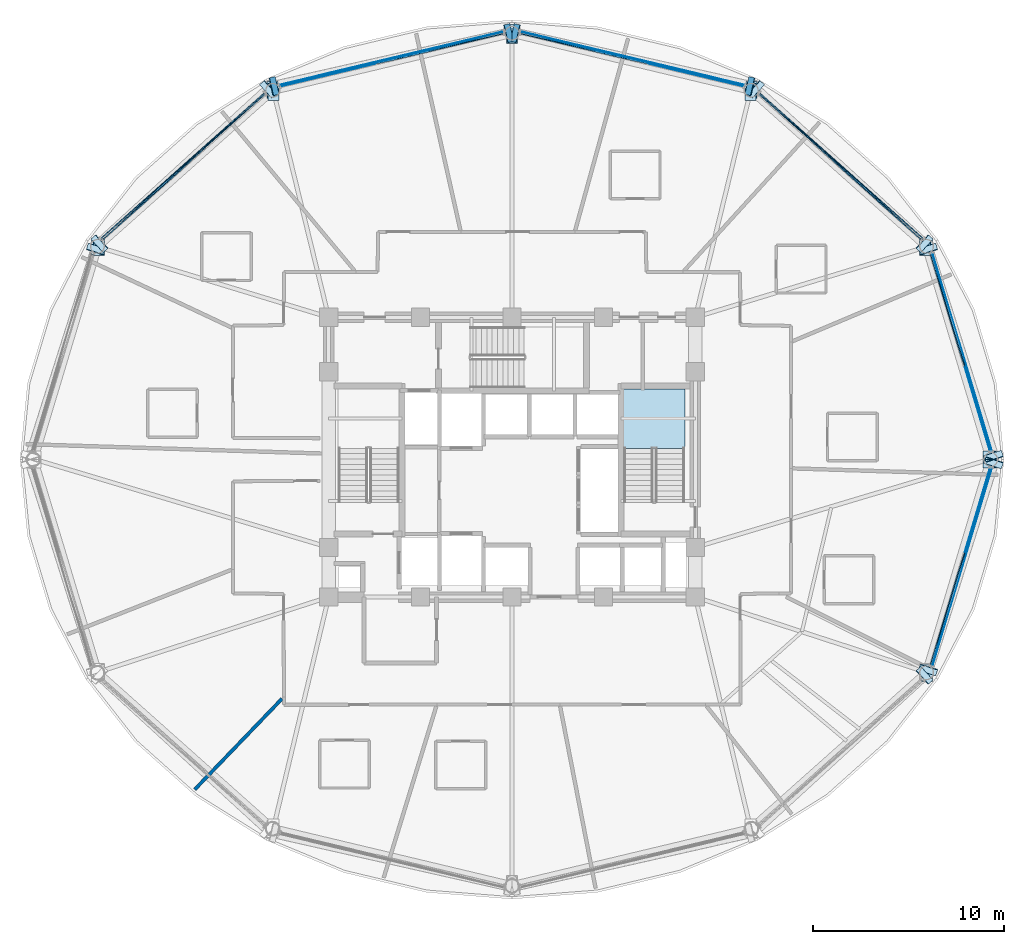
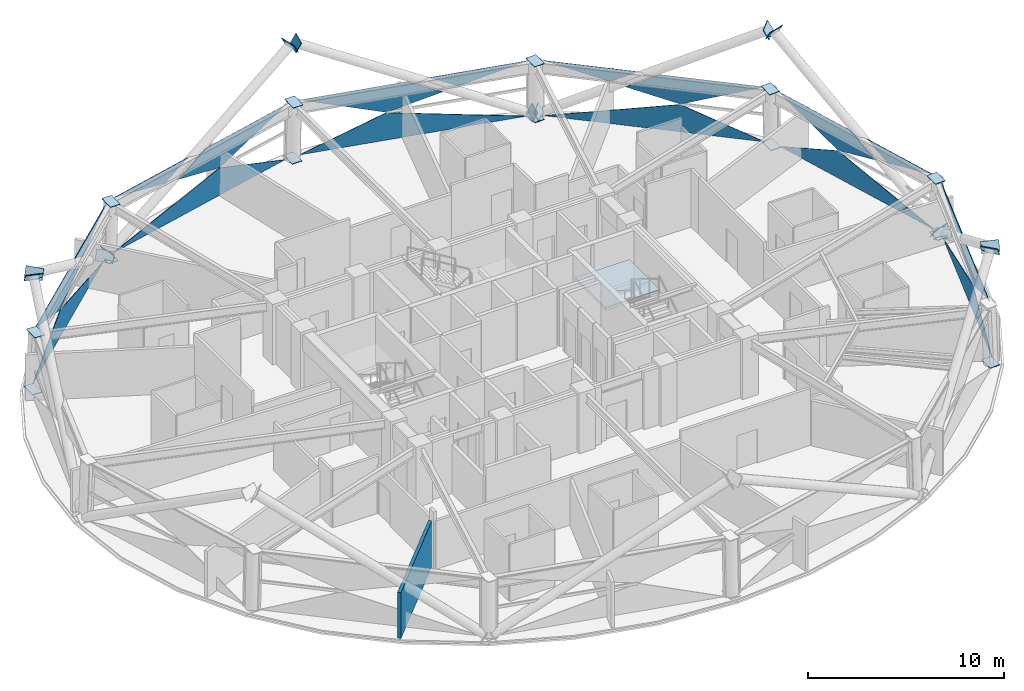
# One storey, part 7 of 15: 45 plates, 1 slab, 1 wall, 7 elements without a shape of their own.
"""IFC4 building model written with IfcOpenShell, lengths in metres."""

from ifc_helpers import new_model, si_unit, direction, frame, frame_2d, origin, place, context, subcontext, project, spatial, polyline, rectangle, outline, extrude, material, layer, layer_set, type_object, element, aggregate, save


model = new_model("IFC4")

# Units and contexts
model_context = context("Model", 3, precision=1e-05, world=origin(), true_north=direction((0.0, 1.0)))
body_context = subcontext(model_context, "Body", "Model", "MODEL_VIEW")
ifc_project = project(units=[si_unit("LENGTHUNIT", "METRE"), si_unit("AREAUNIT", "SQUARE_METRE"), si_unit("VOLUMEUNIT", "CUBIC_METRE"), si_unit("PLANEANGLEUNIT", "RADIAN"), si_unit("MASSUNIT", "GRAM", prefix="KILO")], contexts=[model_context])

# Site, building, storey
site_placement = place(None, origin())
site = spatial("IfcSite", under=ifc_project, at=site_placement, CompositionType="ELEMENT")
building_placement = place(site_placement, origin())
building = spatial("IfcBuilding", under=site, at=building_placement, Name="Vantalir Tower", CompositionType="ELEMENT")
storey_placement = place(building_placement, frame((0.0, 0.0, 134.699951171875)))
storey = spatial("IfcBuildingStorey", under=building, at=storey_placement, Name="L33", CompositionType="ELEMENT", Elevation=134.699951171875)

# Curtain wall, plates
ifc_material_1 = material(Name="Champagne-silver PVDF aluminium and double-silver Low-E glass", Category="aluminium")
ifc_layer_1 = layer(ifc_material_1, 0.199951171875)
ifc_layer_set_1 = layer_set([ifc_layer_1], Name="Champagne-silver PVDF aluminium and double-silver Low-E glass")
curtain_wall_type = type_object("IfcCurtainWallType", Name="CW-DIAMOND-Z2", PredefinedType="USERDEFINED", material=ifc_layer_set_1)
curtain_wall_1_placement = place(storey_placement, origin())
curtain_wall_1 = element("IfcCurtainWall", 1, at=curtain_wall_1_placement, inside=storey, type_object=curtain_wall_type, Name="L33 Quilted Pyramid-Diamond Curtain Wall S01", ObjectType="UNITISED CURTAIN WALL", PredefinedType="USERDEFINED")
ifc_material_2 = material(Name="Double-silver Low-E laminated glass IGU", Category="glass")
ifc_layer_2 = layer(ifc_material_2, 0.028076171875)
ifc_layer_set_2 = layer_set([ifc_layer_2], Name="Double-silver Low-E laminated glass IGU")
plate_type_1 = type_object("IfcPlateType", Name="CWP-IGU-28", PredefinedType="CURTAIN_PANEL", material=ifc_layer_set_2)
plate_1_placement = place(storey_placement, frame((56.652099609375, 25.435546875, 0.046630859375), z_axis=(0.957463170164, 0.287838841665, 0.02032434523), x_axis=(-0.287898747947, 0.957660853551, 2.2490333e-05)))
plate_1 = element("IfcPlate", 2, at=plate_1_placement, type_object=plate_type_1, Name="CW-L33-S01 Pyramid Diamond Facet 1L", PredefinedType="CURTAIN_PANEL", context=body_context, shape_type="SweptSolid", body=[
    extrude(outline(polyline([(0.0, 0.0), (10.855358569343428, 4.87890977618477e-18), (6.7250482637730125, 1.726523743430971), (0.0, 0.0)])), origin(), (0.0, 0.0, -1.0), 0.028076171875),
])
plate_2_placement = place(storey_placement, frame((54.886474609375, 30.895751953125, 3.5234375), z_axis=(0.956543087606, 0.287624031401, 0.047934727639), x_axis=(-0.287952835726, 0.957644590696, -4.804982e-05)))
plate_2 = element("IfcPlate", 3, at=plate_2_placement, type_object=plate_type_1, Name="CW-L33-S01 Pyramid Diamond Facet 2U", PredefinedType="CURTAIN_PANEL", context=body_context, shape_type="SweptSolid", body=[
    extrude(outline(polyline([(0.0, 0.0), (5.096474012742878, 4.092863201132779e-18), (0.9877891739577647, -1.7282575818142996), (-1.6959378570622536, -1.0349633621815963), (0.0, 0.0)])), origin(), (0.0, 0.0, -1.0), 0.028076171875),
])
plate_3_placement = place(storey_placement, frame((56.55859375, 25.44482421875, 3.525146484375), z_axis=(0.956564172472, 0.287559400806, 0.047901721806), x_axis=(-0.287887448964, 0.957664249057, -5.2988671e-05)))
plate_3 = element("IfcPlate", 4, at=plate_3_placement, type_object=plate_type_1, Name="CW-L33-S01 Pyramid Diamond Facet 2U Infill Light", PredefinedType="CURTAIN_PANEL", context=body_context, shape_type="SweptSolid", body=[
    extrude(outline(polyline([(0.0, 0.0), (4.6074117520533635, -7.26415455565288e-18), (3.2371289659831093, -0.836237644729673), (0.0, 0.0)])), origin(), (0.0, 0.0, -1.0), 0.028076171875),
])
aggregate(curtain_wall_1, [plate_1, plate_2, plate_3])

curtain_wall_2_placement = place(storey_placement, origin())
curtain_wall_2 = element("IfcCurtainWall", 5, at=curtain_wall_2_placement, inside=storey, type_object=curtain_wall_type, Name="L33 Quilted Pyramid-Diamond Curtain Wall S02", ObjectType="UNITISED CURTAIN WALL", PredefinedType="USERDEFINED")
plate_4_placement = place(storey_placement, frame((53.056396484375, 36.569580078125, 0.046630859375), z_axis=(0.6653068524, 0.746332559272, 0.018828253222), x_axis=(-0.746464616569, 0.665425109053, -2.1253477e-05)))
plate_4 = element("IfcPlate", 6, at=plate_4_placement, type_object=plate_type_1, Name="CW-L33-S02 Pyramid Diamond Facet 1L", PredefinedType="CURTAIN_PANEL", context=body_context, shape_type="SweptSolid", body=[
    extrude(outline(polyline([(0.0, 0.0), (11.487091070250031, -2.0897996874658098e-17), (4.377164422617206, 1.7269616641354208), (0.0, 0.0)])), origin(), (0.0, 0.0, -1.0), 0.028076171875),
])
plate_5_placement = place(storey_placement, frame((52.948486328125, 36.514892578125, 3.5234375), z_axis=(0.664748754813, 0.745655250849, 0.045905771486), x_axis=(-0.746442186369, 0.665450270425, 5.57818e-07)))
plate_5 = element("IfcPlate", 7, at=plate_5_placement, type_object=plate_type_1, Name="CW-L33-S02 Pyramid Diamond Facet 2U", PredefinedType="CURTAIN_PANEL", context=body_context, shape_type="SweptSolid", body=[
    extrude(outline(polyline([(0.0, 0.0), (5.397617133822349, 2.7755575615628914e-17), (7.179394340359008, -1.0347863092867564), (4.333081722974225, -1.7283840128973784), (0.0, 0.0)])), origin(), (0.0, 0.0, -1.0), 0.028076171875),
])
plate_6_placement = place(storey_placement, frame((48.09375, 40.885498046875, 3.52490234375), z_axis=(0.664758126439, 0.745637981666, 0.046050338001), x_axis=(-0.746431383349, 0.665462386212, 4.9888476e-05)))
plate_6 = element("IfcPlate", 8, at=plate_6_placement, type_object=plate_type_1, Name="CW-L33-S02 Pyramid Diamond Facet 2U Infill Light", PredefinedType="CURTAIN_PANEL", context=body_context, shape_type="SweptSolid", body=[
    extrude(outline(polyline([(0.0, 0.0), (4.893727826473821, -3.876022766635678e-18), (1.4464393470778378, -0.8400747079028531), (0.0, 0.0)])), origin(), (0.0, 0.0, -1.0), 0.028076171875),
])
aggregate(curtain_wall_2, [plate_4, plate_5, plate_6])

curtain_wall_3_placement = place(storey_placement, origin())
curtain_wall_3 = element("IfcCurtainWall", 9, at=curtain_wall_3_placement, inside=storey, type_object=curtain_wall_type, Name="L33 Quilted Pyramid-Diamond Curtain Wall S03", ObjectType="UNITISED CURTAIN WALL", PredefinedType="USERDEFINED")
plate_7_placement = place(storey_placement, frame((43.699462890625, 44.62158203125, 0.04638671875), z_axis=(0.232238699836, 0.972513238246, 0.016828182751), x_axis=(-0.972651048169, 0.232271259712, 2.0197501e-05)))
plate_7 = element("IfcPlate", 10, at=plate_7_placement, type_object=plate_type_1, Name="CW-L33-S03 Pyramid Diamond Facet 1L", PredefinedType="CURTAIN_PANEL", context=body_context, shape_type="SweptSolid", body=[
    extrude(outline(polyline([(0.0, 0.0), (12.087665047253493, 3.2255014631443757e-18), (7.487863162220419, 1.7271441158106788), (0.0, 0.0)])), origin(), (0.0, 0.0, -1.0), 0.028076171875),
])
plate_8_placement = place(storey_placement, frame((37.47998046875, 45.9970703125, 3.523681640625), z_axis=(0.232028448173, 0.971690883214, 0.044492996275), x_axis=(-0.972653666383, 0.232260292498, -4.2432139e-05)))
plate_8 = element("IfcPlate", 11, at=plate_8_placement, type_object=plate_type_1, Name="CW-L33-S03 Pyramid Diamond Facet 2U", PredefinedType="CURTAIN_PANEL", context=body_context, shape_type="SweptSolid", body=[
    extrude(outline(polyline([(0.0, 0.0), (5.69327447448733, -5.990217002982412e-18), (1.119095545179501, -1.7287152503151515), (-1.872263854640357, -1.0347930479250294), (0.0, 0.0)])), origin(), (0.0, 0.0, -1.0), 0.028076171875),
])
plate_9_placement = place(storey_placement, frame((43.64501953125, 44.557861328125, 3.525146484375), z_axis=(0.232012766943, 0.971689535973, 0.044604054253), x_axis=(-0.972657579358, 0.232243909109, 0.0)))
plate_9 = element("IfcPlate", 12, at=plate_9_placement, type_object=plate_type_1, Name="CW-L33-S03 Pyramid Diamond Facet 2U Infill Light", PredefinedType="CURTAIN_PANEL", context=body_context, shape_type="SweptSolid", body=[
    extrude(outline(polyline([(0.0, 0.0), (5.1531054069003135, 0.0), (3.62919502629033, -0.842146745431487), (0.0, 0.0)])), origin(), (0.0, 0.0, -1.0), 0.028076171875),
])
aggregate(curtain_wall_3, [plate_7, plate_8, plate_9])

curtain_wall_4_placement = place(storey_placement, origin())
curtain_wall_4 = element("IfcCurtainWall", 13, at=curtain_wall_4_placement, inside=storey, type_object=curtain_wall_type, Name="L33 Quilted Pyramid-Diamond Curtain Wall S04", ObjectType="UNITISED CURTAIN WALL", PredefinedType="USERDEFINED")
plate_10_placement = place(storey_placement, frame((31.0576171875, 47.42919921875, 0.046630859375), z_axis=(-0.232256889612, 0.972508622751, 0.01684386838), x_axis=(-0.972646689039, -0.232289513093, -2.0199088e-05)))
plate_10 = element("IfcPlate", 14, at=plate_10_placement, type_object=plate_type_1, Name="CW-L33-S04 Pyramid Diamond Facet 1L", PredefinedType="CURTAIN_PANEL", context=body_context, shape_type="SweptSolid", body=[
    extrude(outline(polyline([(0.0, 0.0), (12.086715194842665, -1.3850682753502319e-17), (4.599327501788507, 1.7271445697692345), (0.0, 0.0)])), origin(), (0.0, 0.0, -1.0), 0.028076171875),
])
plate_11_placement = place(storey_placement, frame((31.0576171875, 47.3193359375, 3.5234375), z_axis=(-0.232052352913, 0.971684408493, 0.044509727011), x_axis=(-0.972647912856, -0.232284385689, 4.2219455e-05)))
plate_11 = element("IfcPlate", 15, at=plate_11_placement, type_object=plate_type_1, Name="CW-L33-S04 Pyramid Diamond Facet 2U", PredefinedType="CURTAIN_PANEL", context=body_context, shape_type="SweptSolid", body=[
    extrude(outline(polyline([(0.0, 0.0), (5.692799545575919, 7.128629284092192e-18), (7.564825017597884, -1.0347921790803372), (4.573939925662782, -1.7287167881728276), (0.0, 0.0)])), origin(), (0.0, 0.0, -1.0), 0.028076171875),
])
plate_12_placement = place(storey_placement, frame((24.36767578125, 45.754638671875, 3.525146484375), z_axis=(-0.232034436691, 0.971685621459, 0.044576599692), x_axis=(-0.972652467841, -0.232265315538, 0.0)))
plate_12 = element("IfcPlate", 16, at=plate_12_placement, type_object=plate_type_1, Name="CW-L33-S04 Pyramid Diamond Facet 2U Infill Light", PredefinedType="CURTAIN_PANEL", context=body_context, shape_type="SweptSolid", body=[
    extrude(outline(polyline([(0.0, 0.0), (5.152630477689515, 6.938893903907228e-18), (1.5236720895603613, -0.8421457124155124), (0.0, 0.0)])), origin(), (0.0, 0.0, -1.0), 0.028076171875),
])
aggregate(curtain_wall_4, [plate_10, plate_11, plate_12])

curtain_wall_5_placement = place(storey_placement, origin())
curtain_wall_5 = element("IfcCurtainWall", 17, at=curtain_wall_5_placement, inside=storey, type_object=curtain_wall_type, Name="L33 Quilted Pyramid-Diamond Curtain Wall S05", ObjectType="UNITISED CURTAIN WALL", PredefinedType="USERDEFINED")
plate_13_placement = place(storey_placement, frame((18.519287109375, 44.21337890625, 0.04638671875), z_axis=(-0.665265251337, 0.746370883689, 0.018778960172), x_axis=(-0.746502256343, -0.665382882875, 2.1252128e-05)))
plate_13 = element("IfcPlate", 18, at=plate_13_placement, type_object=plate_type_1, Name="CW-L33-S05 Pyramid Diamond Facet 1L", PredefinedType="CURTAIN_PANEL", context=body_context, shape_type="SweptSolid", body=[
    extrude(outline(polyline([(0.0, 0.0), (11.487820057981526, -1.100465205072787e-17), (7.110471549203803, 1.726960060879841), (0.0, 0.0)])), origin(), (0.0, 0.0, -1.0), 0.028076171875),
])
plate_14_placement = place(storey_placement, frame((14.0810546875, 40.106689453125, 3.5234375), z_axis=(-0.664708468294, 0.745687335211, 0.045967926696), x_axis=(-0.746476405276, -0.66541188475, 5.91457e-07)))
plate_14 = element("IfcPlate", 19, at=plate_14_placement, type_object=plate_type_1, Name="CW-L33-S05 Pyramid Diamond Facet 2U", PredefinedType="CURTAIN_PANEL", context=body_context, shape_type="SweptSolid", body=[
    extrude(outline(polyline([(0.0, 0.0), (5.398144074560463, 4.163336342344337e-17), (1.0647197504595947, -1.7283901830948833), (-1.7819581912620606, -1.0347810098272232), (0.0, 0.0)])), origin(), (0.0, 0.0, -1.0), 0.028076171875),
])
plate_15_placement = place(storey_placement, frame((18.56005859375, 44.14208984375, 3.525146484375), z_axis=(-0.664711034908, 0.745684830566, 0.045971442594), x_axis=(-0.746475563658, -0.665412827027, -4.9884761e-05)))
plate_15 = element("IfcPlate", 20, at=plate_15_placement, type_object=plate_type_1, Name="CW-L33-S05 Pyramid Diamond Facet 2U Infill Light", PredefinedType="CURTAIN_PANEL", context=body_context, shape_type="SweptSolid", body=[
    extrude(outline(polyline([(0.0, 0.0), (4.894092305709332, 1.0299920638612292e-18), (3.4474732821470626, -0.8400716555201749), (0.0, 0.0)])), origin(), (0.0, 0.0, -1.0), 0.028076171875),
])
aggregate(curtain_wall_5, [plate_13, plate_14, plate_15])

curtain_wall_6_placement = place(storey_placement, origin())
curtain_wall_6 = element("IfcCurtainWall", 21, at=curtain_wall_6_placement, inside=storey, type_object=curtain_wall_type, Name="L33 Quilted Pyramid-Diamond Curtain Wall S12", ObjectType="UNITISED CURTAIN WALL", PredefinedType="USERDEFINED")
plate_16_placement = place(storey_placement, frame((53.52685546875, 14.167724609375, 0.046875), z_axis=(0.957470245405, -0.287813931376, 0.020343796845), x_axis=(0.287873946806, 0.957668309095, -2.2488395e-05)))
plate_16 = element("IfcPlate", 22, at=plate_16_placement, type_object=plate_type_1, Name="CW-L33-S12 Pyramid Diamond Facet 1L", PredefinedType="CURTAIN_PANEL", context=body_context, shape_type="SweptSolid", body=[
    extrude(outline(polyline([(0.0, 0.0), (10.856293788661283, 1.5233040523421337e-17), (4.130778827764857, 1.7265244291409825), (0.0, 0.0)])), origin(), (0.0, 0.0, -1.0), 0.028076171875),
])
plate_17_placement = place(storey_placement, frame((53.4189453125, 14.22265625, 3.523193359375), z_axis=(0.956551973438, -0.28759096998, 0.047955772315), x_axis=(0.287920011065, 0.957654460068, 4.8384158e-05)))
plate_17 = element("IfcPlate", 23, at=plate_17_placement, type_object=plate_type_1, Name="CW-L33-S12 Pyramid Diamond Facet 2U", PredefinedType="CURTAIN_PANEL", context=body_context, shape_type="SweptSolid", body=[
    extrude(outline(polyline([(0.0, 0.0), (5.097175417355178, -2.596664203102783e-17), (6.793111226790317, -1.0349667163310812), (4.109149024892421, -1.7282589875324084), (0.0, 0.0)])), origin(), (0.0, 0.0, -1.0), 0.028076171875),
])
plate_18_placement = place(storey_placement, frame((55.232177734375, 20.142578125, 3.52490234375), z_axis=(0.956571263769, -0.287545619059, 0.047842808155), x_axis=(0.287872840721, 0.95766864038, 5.2985982e-05)))
plate_18 = element("IfcPlate", 24, at=plate_18_placement, type_object=plate_type_1, Name="CW-L33-S12 Pyramid Diamond Facet 2U Infill Light", PredefinedType="CURTAIN_PANEL", context=body_context, shape_type="SweptSolid", body=[
    extrude(outline(polyline([(0.0, 0.0), (4.607645557337732, 1.0516761073109393e-17), (1.3705159829442757, -0.8362352895310898), (0.0, 0.0)])), origin(), (0.0, 0.0, -1.0), 0.028076171875),
])
aggregate(curtain_wall_6, [plate_16, plate_17, plate_18])

# Plates
ifc_material_3 = material(Name="Steel S460", Category="steel")
ifc_layer_3 = layer(ifc_material_3, 0.0400390625)
ifc_layer_set_3 = layer_set([ifc_layer_3], Name="Steel S460")
plate_type_2 = type_object("IfcPlateType", Name="PLT-KN-Z1", PredefinedType="USERDEFINED", material=ifc_layer_set_3)
for number, where, z_axis, x_axis, name in (
    (25, (57.128173828125, 25.483154296875, -0.06591796875), (-0.258197780865, 0.813641095351, 0.520885854974), (-0.953158376778, -0.302471666074, 0.0), "Node Cap Plate MEM-DG-L33-R01L Start"),
    (26, (53.6875, 36.32958984375, 6.87744140625), (-0.258197780865, 0.813641095351, 0.520885854974), (-0.953158376778, -0.302471666074, 0.0), "Node Cap Plate MEM-DG-L33-R01L End"),
):
    element("IfcPlate", number, at=place(storey_placement, frame(where, z_axis=z_axis, x_axis=x_axis)), inside=storey, type_object=plate_type_2, Name=name, ObjectType="FLANGE_PLATE", PredefinedType="USERDEFINED", context=body_context, shape_type="SweptSolid", body=[
        extrude(outline(polyline([(0.0, 0.0), (0.9500179615330504, 2.7755575615628914e-17), (0.950055417638484, 0.6200568691666573), (3.745610543352195e-05, 0.6200568691666573), (0.0, 0.0)])), origin(), (0.0, 0.0, -1.0), 0.0400390625),
    ])
for number, where, z_axis, x_axis, name in (
    (27, (56.22265625, 24.80419921875, -0.06591796875), (-0.258197780865, -0.813641095351, 0.520885854974), (0.953158376778, -0.302471666074, 0.0), "Node Cap Plate MEM-DG-L33-R01R Start"),
    (28, (52.781982421875, 13.957763671875, 6.87744140625), (-0.258197780865, -0.813641095351, 0.520885854974), (0.953158376778, -0.302471666074, 0.0), "Node Cap Plate MEM-DG-L33-R01R End"),
):
    element("IfcPlate", number, at=place(storey_placement, frame(where, z_axis=z_axis, x_axis=x_axis)), inside=storey, type_object=plate_type_2, Name=name, ObjectType="FLANGE_PLATE", PredefinedType="USERDEFINED", context=body_context, shape_type="SweptSolid", body=[
        extrude(outline(polyline([(0.0, 0.0), (0.9500179615330504, -2.7755575615628914e-17), (0.949980505427617, 0.6200568691666573), (-3.745610543352195e-05, 0.6200568691666573), (0.0, 0.0)])), origin(), (0.0, 0.0, -1.0), 0.0400390625),
    ])
plate_19_placement = place(storey_placement, frame((43.90576171875, 45.056396484375, -0.0810546875), z_axis=(-0.853791830587, 0.192755426452, 0.483616434373), x_axis=(-0.220221435597, -0.975449906097, 0.0)))
element("IfcPlate", 29, at=plate_19_placement, inside=storey, type_object=plate_type_2, Name="Node Cap Plate MEM-DG-L33-R07L Start", ObjectType="FLANGE_PLATE", PredefinedType="USERDEFINED", context=body_context, shape_type="SweptSolid", body=[
    extrude(outline(polyline([(0.0, 0.0), (0.9500824252560544, 0.0), (0.9502097799209525, 0.6200582510693693), (0.00012735466489807723, 0.6200582510693693), (0.0, 0.0)])), origin(), (0.0, 0.0, -1.0), 0.0400390625),
])
plate_20_placement = place(storey_placement, frame((31.618896484375, 47.830078125, 6.877685546875), z_axis=(-0.853827632693, 0.192763509278, 0.483550000662), x_axis=(-0.220221435597, -0.975449906097, 0.0)))
element("IfcPlate", 30, at=plate_20_placement, inside=storey, type_object=plate_type_2, Name="Node Cap Plate MEM-DG-L33-R07L End", ObjectType="FLANGE_PLATE", PredefinedType="USERDEFINED", context=body_context, shape_type="SweptSolid", body=[
    extrude(outline(polyline([(0.0, 0.0), (0.9500824252560544, 0.0), (0.9499716329712218, 0.6200322512181617), (-0.00011079228483251053, 0.6200322512181617), (0.0, 0.0)])), origin(), (0.0, 0.0, -1.0), 0.0400390625),
])
plate_21_placement = place(storey_placement, frame((44.081298828125, 43.927490234375, -0.073486328125), z_axis=(0.637640096051, -0.58418856482, 0.502134273518), x_axis=(0.675544374388, 0.737319331457, -4.1139818e-05)))
element("IfcPlate", 31, at=plate_21_placement, inside=storey, type_object=plate_type_2, Name="Node Cap Plate MEM-DG-L33-R07R Start", ObjectType="FLANGE_PLATE", PredefinedType="USERDEFINED", context=body_context, shape_type="SweptSolid", body=[
    extrude(outline(polyline([(0.0, 0.0), (0.9500428032754565, 2.7755575615628914e-17), (0.9498119304837989, 0.6200026520977329), (-6.594496587939784e-05, 0.6199122689743342), (0.0, 0.0)])), origin(), (0.0, 0.0, -1.0), 0.0400390625),
])
plate_22_placement = place(storey_placement, frame((52.908935546875, 35.83935546875, 6.87744140625), z_axis=(0.637619242325, -0.584280581412, 0.502053686374), x_axis=(0.675596613919, 0.737271466464, 0.0)))
element("IfcPlate", 32, at=plate_22_placement, inside=storey, type_object=plate_type_2, Name="Node Cap Plate MEM-DG-L33-R07R End", ObjectType="FLANGE_PLATE", PredefinedType="USERDEFINED", context=body_context, shape_type="SweptSolid", body=[
    extrude(outline(polyline([(0.0, 0.0), (0.9500428064640428, -2.7755575615628914e-17), (0.9501568657921746, 0.6202062242755618), (0.00011405932813173088, 0.6202062242755619), (0.0, 0.0)])), origin(), (0.0, 0.0, -1.0), 0.0400390625),
])
plate_23_placement = place(storey_placement, frame((18.278076171875, 44.6279296875, -0.073486328125), z_axis=(-0.637741934547, -0.584170722897, 0.502025688018), x_axis=(0.675456891906, -0.737399475981, 0.0)))
element("IfcPlate", 33, at=plate_23_placement, inside=storey, type_object=plate_type_2, Name="Node Cap Plate MEM-DG-L33-R13L Start", ObjectType="FLANGE_PLATE", PredefinedType="USERDEFINED", context=body_context, shape_type="SweptSolid", body=[
    extrude(outline(polyline([(0.0, 0.0), (0.9498778829389021, 0.0), (0.9498848481664213, 0.6199122773293964), (6.965227519167838e-06, 0.6199122773293964), (0.0, 0.0)])), origin(), (0.0, 0.0, -1.0), 0.0400390625),
])
plate_24_placement = place(storey_placement, frame((9.44921875, 36.5400390625, 6.87744140625), z_axis=(-0.637712525403, -0.584264237423, 0.50195421685), x_axis=(0.675516494449, -0.737344874742, -3.7675412e-05)))
element("IfcPlate", 34, at=plate_24_placement, inside=storey, type_object=plate_type_2, Name="Node Cap Plate MEM-DG-L33-R13L End", ObjectType="FLANGE_PLATE", PredefinedType="USERDEFINED", context=body_context, shape_type="SweptSolid", body=[
    extrude(outline(polyline([(0.0, 0.0), (0.9502228160193325, 0.0), (0.9500547129612131, 0.6202062078811454), (1.1912780440624582e-05, 0.6201234309458774), (0.0, 0.0)])), origin(), (0.0, 0.0, -1.0), 0.0400390625),
])
plate_25_placement = place(storey_placement, frame((19.304443359375, 44.129638671875, -0.0810546875), z_axis=(0.853791830587, 0.192755426452, 0.483616434373), x_axis=(-0.220221435597, 0.975449906097, 0.0)))
element("IfcPlate", 35, at=plate_25_placement, inside=storey, type_object=plate_type_2, Name="Node Cap Plate MEM-DG-L33-R13R Start", ObjectType="FLANGE_PLATE", PredefinedType="USERDEFINED", context=body_context, shape_type="SweptSolid", body=[
    extrude(outline(polyline([(0.0, 0.0), (0.9500824252560544, 0.0), (0.9499550705911562, 0.6200582510693693), (-0.00012735466489807723, 0.6200582510693693), (0.0, 0.0)])), origin(), (0.0, 0.0, -1.0), 0.0400390625),
])
plate_26_placement = place(storey_placement, frame((31.59033203125, 46.9033203125, 6.877685546875), z_axis=(0.853827632693, 0.192763509278, 0.483550000662), x_axis=(-0.220221435597, 0.975449906097, 0.0)))
element("IfcPlate", 36, at=plate_26_placement, inside=storey, type_object=plate_type_2, Name="Node Cap Plate MEM-DG-L33-R13R End", ObjectType="FLANGE_PLATE", PredefinedType="USERDEFINED", context=body_context, shape_type="SweptSolid", body=[
    extrude(outline(polyline([(0.0, 0.0), (0.9500824252560544, 0.0), (0.9501932175408869, 0.6200322512181617), (0.00011079228483251053, 0.6200322512181617), (0.0, 0.0)])), origin(), (0.0, 0.0, -1.0), 0.0400390625),
])
plate_27_placement = place(storey_placement, frame((10.218017578125, 36.042236328125, 6.87744140625), z_axis=(0.258197780865, 0.813641095351, 0.520885854974), x_axis=(-0.953158376778, 0.302471666074, 0.0)))
element("IfcPlate", 37, at=plate_27_placement, inside=storey, type_object=plate_type_2, Name="Node Cap Plate MEM-DG-L33-R19R End", ObjectType="FLANGE_PLATE", PredefinedType="USERDEFINED", context=body_context, shape_type="SweptSolid", body=[
    extrude(outline(polyline([(0.0, 0.0), (0.9500179615330504, -2.7755575615628914e-17), (0.949980505427617, 0.6200568691666573), (-3.745610543352195e-05, 0.6200568691666573), (0.0, 0.0)])), origin(), (0.0, 0.0, -1.0), 0.0400390625),
])
plate_28_placement = place(storey_placement, frame((53.55078125, 13.460205078125, 6.87744140625), z_axis=(0.637619242325, 0.584280581412, 0.502053686374), x_axis=(-0.675596613919, 0.737271466464, 0.0)))
element("IfcPlate", 38, at=plate_28_placement, inside=storey, type_object=plate_type_2, Name="Node Cap Plate MEM-DG-L33-R31L End", ObjectType="FLANGE_PLATE", PredefinedType="USERDEFINED", context=body_context, shape_type="SweptSolid", body=[
    extrude(outline(polyline([(0.0, 0.0), (0.9500428064640428, 2.7755575615628914e-17), (0.949928747135911, 0.6202062242755619), (-0.00011405932813173088, 0.6202062242755619), (0.0, 0.0)])), origin(), (0.0, 0.0, -1.0), 0.0400390625),
])
ifc_layer_4 = layer(ifc_material_3, 0.035888671875)
ifc_layer_set_4 = layer_set([ifc_layer_4], Name="Steel S460")
plate_type_3 = type_object("IfcPlateType", Name="PLT-KN-Z2", PredefinedType="USERDEFINED", material=ifc_layer_set_4)
plate_29_placement = place(storey_placement, frame((56.17822265625, 25.43994140625, 3.587890625), z_axis=(-0.034940740956, 0.0, 0.999389385886), x_axis=(0.0, -1.0, 0.0)))
element("IfcPlate", 39, at=plate_29_placement, inside=storey, type_object=plate_type_3, Name="L33 Ring Column Top Cap RC01", ObjectType="FLANGE_PLATE", PredefinedType="USERDEFINED", context=body_context, shape_type="SweptSolid", body=[
    extrude(outline(polyline([(0.0, 0.0), (0.8798828125, 0.0), (0.8798828125, 0.5799439657208334), (0.0, 0.5799439657208334), (0.0, 0.0)])), origin(), (0.0, 0.0, -1.0), 0.035888671875),
])
plate_30_placement = place(storey_placement, frame((56.30126953125, 25.43994140625, 0.04296875), z_axis=(-0.034505755338, 0.0, 0.999404499114), x_axis=(0.0, -1.0, 0.0)))
element("IfcPlate", 40, at=plate_30_placement, inside=storey, type_object=plate_type_3, Name="L33 Ring Column Base Cap RC01", ObjectType="FLANGE_PLATE", PredefinedType="USERDEFINED", context=body_context, shape_type="SweptSolid", body=[
    extrude(outline(polyline([(0.0, 0.0), (0.8798828125, 0.0), (0.8798828125, 0.5801794817706478), (0.0, 0.5801794817706478), (0.0, 0.0)])), origin(), (0.0, 0.0, -1.0), 0.035888671875),
])
plate_31_placement = place(storey_placement, frame((52.833251953125, 36.556640625, 3.59619140625), z_axis=(-0.0298843169, -0.015529476235, 0.999432720583), x_axis=(0.0, -0.999879302615, -0.015536415357)))
element("IfcPlate", 41, at=plate_31_placement, inside=storey, type_object=plate_type_3, Name="L33 Ring Column Top Cap RC02", ObjectType="FLANGE_PLATE", PredefinedType="USERDEFINED", context=body_context, shape_type="SweptSolid", body=[
    extrude(outline(polyline([(0.0, 0.0), (0.8799890248741321, 0.0), (0.8799638280509562, 0.580093074790818), (-2.519682317585358e-05, 0.5800930747908178), (0.0, 0.0)])), origin(), (0.0, 0.0, -1.0), 0.035888671875),
])
plate_32_placement = place(storey_placement, frame((52.939453125, 36.611328125, 0.051025390625), z_axis=(-0.030094540076, -0.015390756101, 0.999428558369), x_axis=(4.172287e-06, -0.999881449848, -0.015397604794)))
element("IfcPlate", 42, at=plate_32_placement, inside=storey, type_object=plate_type_3, Name="L33 Ring Column Base Cap RC02", ObjectType="FLANGE_PLATE", PredefinedType="USERDEFINED", context=body_context, shape_type="SweptSolid", body=[
    extrude(outline(polyline([(0.0, 0.0), (0.8799852572056079, 0.0), (0.8799648862803056, 0.580093062151268), (-2.4130106160232814e-05, 0.580100408595745), (0.0, 0.0)])), origin(), (0.0, 0.0, -1.0), 0.035888671875),
])
plate_33_placement = place(storey_placement, frame((43.694580078125, 44.6953125, 3.604736328125), z_axis=(-0.017265674335, -0.026623655811, 0.99949641192), x_axis=(0.0, -0.999645421931, -0.026627625001)))
element("IfcPlate", 43, at=plate_33_placement, inside=storey, type_object=plate_type_3, Name="L33 Ring Column Top Cap RC03", ObjectType="FLANGE_PLATE", PredefinedType="USERDEFINED", context=body_context, shape_type="SweptSolid", body=[
    extrude(outline(polyline([(0.0, 0.0), (0.880194910312006, 5.421010862427522e-20), (0.8801724280846793, 0.5799204289756049), (-2.248222732668961e-05, 0.5799204289756049), (0.0, 0.0)])), origin(), (0.0, 0.0, -1.0), 0.035888671875),
])
plate_34_placement = place(storey_placement, frame((43.756103515625, 44.78955078125, 0.059814453125), z_axis=(-0.017265674048, -0.026631039872, 0.999496215208), x_axis=(0.0, -0.999645225184, -0.026635010163)))
element("IfcPlate", 44, at=plate_34_placement, inside=storey, type_object=plate_type_3, Name="L33 Ring Column Base Cap RC03", ObjectType="FLANGE_PLATE", PredefinedType="USERDEFINED", context=body_context, shape_type="SweptSolid", body=[
    extrude(outline(polyline([(0.0, 0.0), (0.879950856277931, 0.0), (0.8799283000788335, 0.5799204289727324), (-2.2556199097482362e-05, 0.5799204289727323), (0.0, 0.0)])), origin(), (0.0, 0.0, -1.0), 0.035888671875),
])
plate_35_placement = place(storey_placement, frame((31.2099609375, 47.673828125, 3.611572265625), z_axis=(0.0, -0.030801591489, 0.999525518414), x_axis=(0.0, -0.999525518414, -0.030801591489)))
element("IfcPlate", 45, at=plate_35_placement, inside=storey, type_object=plate_type_3, Name="L33 Ring Column Top Cap RC04", ObjectType="FLANGE_PLATE", PredefinedType="USERDEFINED", context=body_context, shape_type="SweptSolid", body=[
    extrude(outline(polyline([(0.0, 0.0), (0.8798119858359995, 0.0), (0.8798119858359995, 0.580078125), (0.0, 0.580078125), (0.0, 0.0)])), origin(), (0.0, 0.0, -1.0), 0.035888671875),
])
plate_36_placement = place(storey_placement, frame((31.2099609375, 47.783203125, 0.066650390625), z_axis=(0.0, -0.030793050723, 0.999525781572), x_axis=(0.0, -0.999525781572, -0.030793050723)))
element("IfcPlate", 46, at=plate_36_placement, inside=storey, type_object=plate_type_3, Name="L33 Ring Column Base Cap RC04", ObjectType="FLANGE_PLATE", PredefinedType="USERDEFINED", context=body_context, shape_type="SweptSolid", body=[
    extrude(outline(polyline([(0.0, 0.0), (0.8800560106528968, 0.0), (0.8800560106528968, 0.580078125), (0.0, 0.580078125), (0.0, 0.0)])), origin(), (0.0, 0.0, -1.0), 0.035888671875),
])
plate_37_placement = place(storey_placement, frame((18.7265625, 44.695068359375, 3.61474609375), z_axis=(0.017265674335, -0.026623655811, 0.99949641192), x_axis=(0.0, -0.999645421931, -0.026627625001)))
element("IfcPlate", 47, at=plate_37_placement, inside=storey, type_object=plate_type_3, Name="L33 Ring Column Top Cap RC05", ObjectType="FLANGE_PLATE", PredefinedType="USERDEFINED", context=body_context, shape_type="SweptSolid", body=[
    extrude(outline(polyline([(0.0, 0.0), (0.880194910312006, -5.421010862427522e-20), (0.8802173925393326, 0.5799204289756049), (2.248222732668961e-05, 0.5799204289756049), (0.0, 0.0)])), origin(), (0.0, 0.0, -1.0), 0.035888671875),
])
plate_38_placement = place(storey_placement, frame((18.6650390625, 44.789306640625, 0.06982421875), z_axis=(0.017265674048, -0.026631039872, 0.999496215208), x_axis=(0.0, -0.999645225184, -0.026635010163)))
element("IfcPlate", 48, at=plate_38_placement, inside=storey, type_object=plate_type_3, Name="L33 Ring Column Base Cap RC05", ObjectType="FLANGE_PLATE", PredefinedType="USERDEFINED", context=body_context, shape_type="SweptSolid", body=[
    extrude(outline(polyline([(0.0, 0.0), (0.879950856277931, 0.0), (0.8799734124770284, 0.5799204289727323), (2.2556199097482362e-05, 0.5799204289727323), (0.0, 0.0)])), origin(), (0.0, 0.0, -1.0), 0.035888671875),
])
plate_39_placement = place(storey_placement, frame((9.5869140625, 36.556396484375, 3.613525390625), z_axis=(0.0298843169, -0.015529476235, 0.999432720583), x_axis=(0.0, -0.999879302615, -0.015536415357)))
element("IfcPlate", 49, at=plate_39_placement, inside=storey, type_object=plate_type_3, Name="L33 Ring Column Top Cap RC06", ObjectType="FLANGE_PLATE", PredefinedType="USERDEFINED", context=body_context, shape_type="SweptSolid", body=[
    extrude(outline(polyline([(0.0, 0.0), (0.8799890248741321, 0.0), (0.8800142216973079, 0.580093074790818), (2.519682317585358e-05, 0.5800930747908178), (0.0, 0.0)])), origin(), (0.0, 0.0, -1.0), 0.035888671875),
])
plate_40_placement = place(storey_placement, frame((9.480712890625, 36.611083984375, 0.068603515625), z_axis=(0.030094540076, -0.015390756101, 0.999428558369), x_axis=(4.172269e-06, -0.999881445979, -0.015397856004)))
element("IfcPlate", 50, at=plate_40_placement, inside=storey, type_object=plate_type_3, Name="L33 Ring Column Base Cap RC06", ObjectType="FLANGE_PLATE", PredefinedType="USERDEFINED", context=body_context, shape_type="SweptSolid", body=[
    extrude(outline(polyline([(0.0, 0.0), (0.8799890164171312, 1.0842021724855044e-19), (0.880014230154551, 0.58009306196099), (2.8972979608201814e-05, 0.5801004083740838), (0.0, 0.0)])), origin(), (0.0, 0.0, -1.0), 0.035888671875),
])
plate_41_placement = place(storey_placement, frame((52.939697265625, 14.267578125, 0.0380859375), z_axis=(-0.028845320153, 0.014836805408, 0.999473769896), x_axis=(3.999293e-06, -0.999889835157, 0.014843097159)))
element("IfcPlate", 51, at=plate_41_placement, inside=storey, type_object=plate_type_3, Name="L33 Ring Column Base Cap RC12", ObjectType="FLANGE_PLATE", PredefinedType="USERDEFINED", context=body_context, shape_type="SweptSolid", body=[
    extrude(outline(polyline([(0.0, 0.0), (0.8799815657112329, 0.0), (0.8799861885368528, 0.5798275981301535), (8.246628637375311e-06, 0.5798346396543419), (0.0, 0.0)])), origin(), (0.0, 0.0, -1.0), 0.035888671875),
])

# Stair, slab
ifc_material_4 = material(Name="Concrete C40/50", Category="concrete")
stair_type = type_object("IfcStairType", Name="STR-CORE-1450", PredefinedType="HALF_TURN_STAIR", material=ifc_material_4)
stair_placement = place(storey_placement, origin())
stair = element("IfcStair", 52, at=stair_placement, inside=storey, type_object=stair_type, Name="L33 Core Exit Stair 2", PredefinedType="HALF_TURN_STAIR")
ifc_layer_5 = layer(ifc_material_4, 0.199951171875)
ifc_layer_set_5 = layer_set([ifc_layer_5], Name="Concrete C40/50")
slab_type = type_object("IfcSlabType", Name="SL-LAND-200", PredefinedType="LANDING", material=ifc_layer_set_5)
slab_placement = place(storey_placement, frame((0.0, 0.0, 1.675048828125)))
slab = element("IfcSlab", 53, at=slab_placement, type_object=slab_type, Name="ST2 landing 1", PredefinedType="LANDING", context=body_context, shape_type="SweptSolid", body=[
    extrude(outline(polyline([(40.550048828125, 25.590087890625), (40.550048828125, 28.699951171875), (37.35009765625, 28.699951171875), (37.35009765625, 25.590087890625), (40.550048828125, 25.590087890625)])), origin(), (0.0, 0.0, 1.0), 0.199951171875),
])
aggregate(stair, [slab])

# Wall
ifc_material_5 = material(Name="Twin-stud acoustic fire-rated gypsum partition", Category="gypsum")
ifc_layer_6 = layer(ifc_material_5, 0.179931640625)
ifc_layer_set_6 = layer_set([ifc_layer_6], Name="Twin-stud acoustic fire-rated gypsum partition")
wall_type = type_object("IfcWallType", Name="WL-GUEST-180", PredefinedType="PARTITIONING", material=ifc_layer_set_6)
wall_placement = place(storey_placement, frame((19.4599609375, 12.47802734375, 0.0), z_axis=(0.0, 0.0, 1.0), x_axis=(-0.693112409016, -0.720829514149, 0.0)))
element("IfcWall", 54, at=wall_placement, inside=storey, type_object=wall_type, Name="L33 Radial Suite Partition 09", PredefinedType="PARTITIONING", context=body_context, shape_type="SweptSolid", body=[
    extrude(rectangle(XDim=6.606201171875, YDim=0.179931640625, at=frame_2d((3.30322265625, 0.0))), origin(), (0.0, 0.0, 1.0), 2.85205078125),
])

save(model, "model.ifc")
